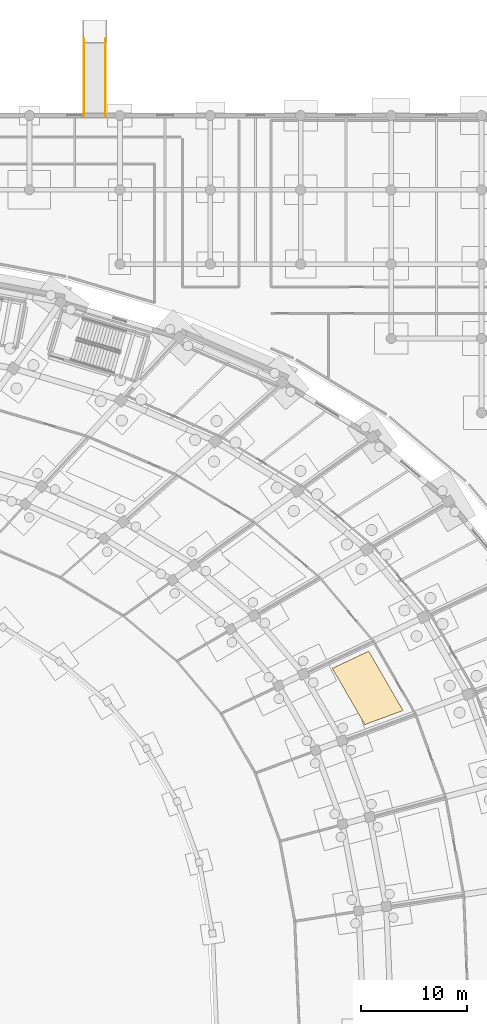
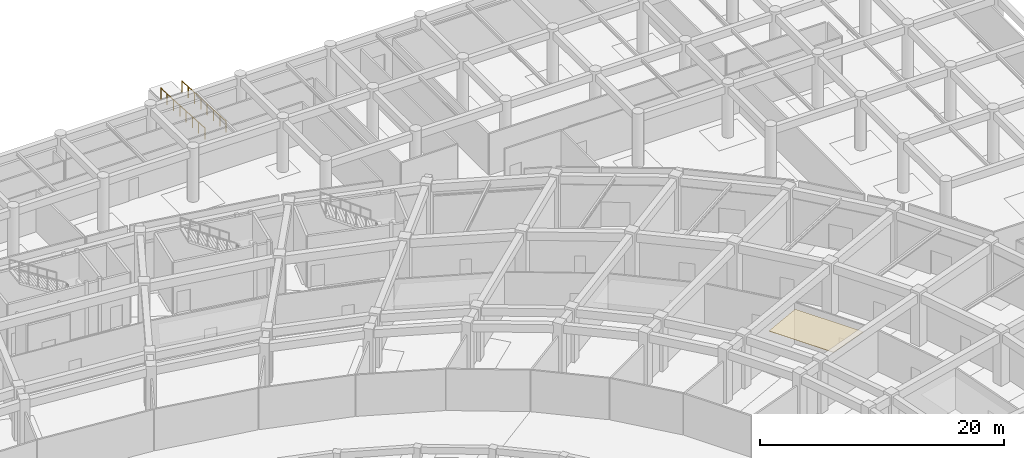
# One storey, part 87 of 88: 2 railings, 1 covering.
"""IFC4 building model written with IfcOpenShell, lengths in metres."""

from ifc_helpers import new_model, si_unit, direction, frame, origin, origin_2d, place, context, subcontext, project, spatial, polyline, circle, outline, extrude, material, layer, layer_set, type_object, element, save


model = new_model("IFC4")

# Units and contexts
model_context = context("Model", 3, precision=1e-05, world=origin(), true_north=direction((0.0, 1.0)))
body_context = subcontext(model_context, "Body", "Model", "MODEL_VIEW")
ifc_project = project(units=[si_unit("LENGTHUNIT", "METRE"), si_unit("AREAUNIT", "SQUARE_METRE"), si_unit("VOLUMEUNIT", "CUBIC_METRE"), si_unit("PLANEANGLEUNIT", "RADIAN"), si_unit("MASSUNIT", "GRAM", prefix="KILO")], contexts=[model_context])

# Site, building, storey
site_placement = place(None, origin())
site = spatial("IfcSite", under=ifc_project, at=site_placement, CompositionType="ELEMENT")
building_placement = place(site_placement, origin())
building = spatial("IfcBuilding", under=site, at=building_placement, Name="Mphavela Belvedere Stadium", CompositionType="ELEMENT")
storey_placement = place(building_placement, origin())
storey = spatial("IfcBuildingStorey", under=building, at=storey_placement, Name="L00", CompositionType="ELEMENT", Elevation=0.0)

# Covering
ifc_material_1 = material(Name="Perforated acoustic mineral ceiling tile")
ifc_layer = layer(ifc_material_1, 0.0400390625)
ifc_layer_set = layer_set([ifc_layer], Name="Perforated acoustic mineral ceiling tile")
covering_type = type_object("IfcCoveringType", Name="COV-CEILING-ACOUSTIC", PredefinedType="CEILING", material=ifc_layer_set)
covering_placement = place(storey_placement, frame((0.0, 0.0, 4.10009765625)))
element("IfcCovering", 1, at=covering_placement, inside=storey, type_object=covering_type, Name="Concourse acoustic ceiling L00-04", PredefinedType="CEILING", context=body_context, shape_type="SweptSolid", body=[
    extrude(outline(polyline([(193.44775390625, 116.62548828125), (190.385498046875, 121.92138671875), (193.810791015625, 123.542724609375), (197.044189453125, 117.950439453125), (193.44775390625, 116.62548828125)])), origin(), (0.0, 0.0, 1.0), 0.039794921875),
])

# Railings
ifc_material_2 = material(Name="Painted galvanised steel stair guardrail", Category="steel")
railing_type = type_object("IfcRailingType", Name="RAL-GUARD-1120", PredefinedType="GUARDRAIL", material=ifc_material_2)
for number, where, name in (
    (2, (167.0, 181.199951171875, -0.39990234375), "Ramp RP4 guardrail R"),
    (3, (169.0, 181.199951171875, -0.39990234375), "Ramp RP4 guardrail L"),
):
    element("IfcRailing", number, at=place(storey_placement, frame(where)), inside=storey, type_object=railing_type, Name=name, PredefinedType="GUARDRAIL", context=body_context, shape_type="SweptSolid", body=[
        extrude(circle(Radius=0.02392578125, at=origin_2d()), frame((0.0, 0.0, 1.09619140625), z_axis=(0.0, -0.998482207996, 0.055075224161), x_axis=(1.0, 0.0, 0.0)), (0.0, 0.0, 1.0), 7.260986328125),
        extrude(circle(Radius=0.02099609375, at=origin_2d()), origin(), (0.0, 0.0, 1.0), 1.072021484375),
        extrude(circle(Radius=0.02099609375, at=origin_2d()), frame((0.0, -1.03564453125, 0.05712890625)), (0.0, 0.0, 1.0), 1.072021484375),
        extrude(circle(Radius=0.02099609375, at=origin_2d()), frame((0.0, -2.071533203125, 0.1142578125)), (0.0, 0.0, 1.0), 1.072021484375),
        extrude(circle(Radius=0.02099609375, at=origin_2d()), frame((0.0, -3.107177734375, 0.17138671875)), (0.0, 0.0, 1.0), 1.072021484375),
        extrude(circle(Radius=0.02099609375, at=origin_2d()), frame((0.0, -4.142822265625, 0.228515625)), (0.0, 0.0, 1.0), 1.072021484375),
        extrude(circle(Radius=0.02099609375, at=origin_2d()), frame((0.0, -5.178466796875, 0.28564453125)), (0.0, 0.0, 1.0), 1.072021484375),
        extrude(circle(Radius=0.02099609375, at=origin_2d()), frame((0.0, -6.21435546875, 0.3427734375)), (0.0, 0.0, 1.0), 1.072021484375),
        extrude(circle(Radius=0.02099609375, at=origin_2d()), frame((0.0, -7.25, 0.39990234375)), (0.0, 0.0, 1.0), 1.072021484375),
    ])

save(model, "model.ifc")
